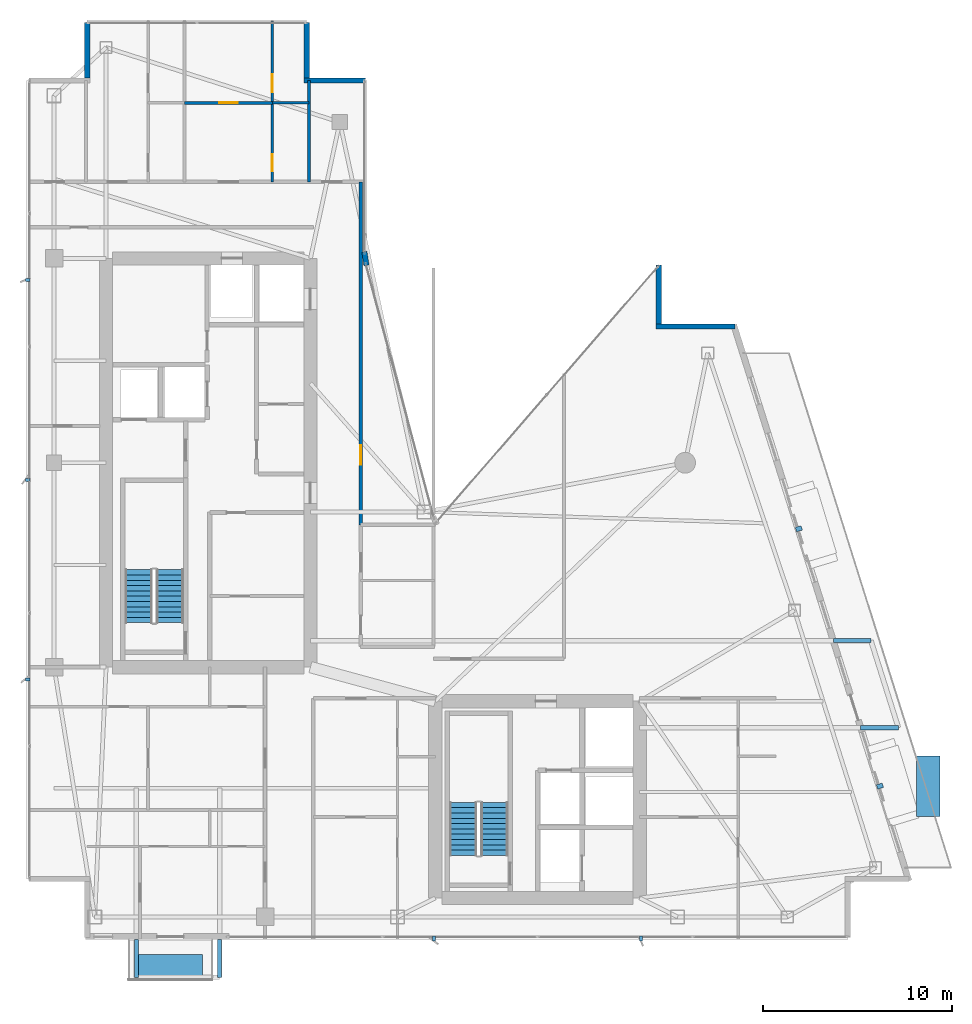
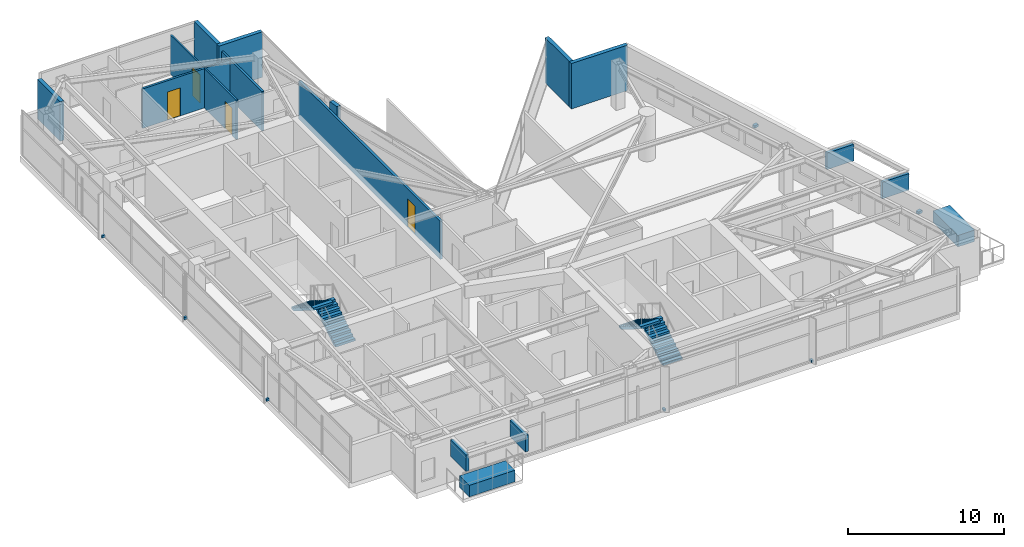
# One storey, part 26 of 28: 13 discrete accessories, 11 walls, 4 doors, 4 stair flights, 4 openings, 2 elements without a shape of their own.
"""IFC4 building model written with IfcOpenShell, lengths in metres."""

from ifc_helpers import new_model, si_unit, direction, frame, frame_2d, origin, origin_2d, place, context, subcontext, project, spatial, polyline, rectangle, outline, extrude, material, layer, layer_set, type_object, element, fill, aggregate, save


model = new_model("IFC4")

# Units and contexts
model_context = context("Model", 3, precision=1e-05, world=origin(), true_north=direction((0.0, 1.0)))
body_context = subcontext(model_context, "Body", "Model", "MODEL_VIEW")
ifc_project = project(units=[si_unit("LENGTHUNIT", "METRE"), si_unit("AREAUNIT", "SQUARE_METRE"), si_unit("VOLUMEUNIT", "CUBIC_METRE"), si_unit("PLANEANGLEUNIT", "RADIAN"), si_unit("MASSUNIT", "GRAM", prefix="KILO")], contexts=[model_context])

# Site, building, storey
site_placement = place(None, origin())
site = spatial("IfcSite", under=ifc_project, at=site_placement, CompositionType="ELEMENT")
building_placement = place(site_placement, origin())
building = spatial("IfcBuilding", under=site, at=building_placement, Name="Calvorn Quay Hotel", CompositionType="ELEMENT")
storey_placement = place(building_placement, frame((0.0, 0.0, 243.800048828125)))
storey = spatial("IfcBuildingStorey", under=building, at=storey_placement, Name="L60", CompositionType="ELEMENT", Elevation=243.800048828125)

# Wall, opening, door
ifc_material_1 = material(Name="Acoustic Fireboard Steel-Stud Partition", Category="steel")
ifc_layer_1 = layer(ifc_material_1, 0.179931640625)
ifc_layer_set_1 = layer_set([ifc_layer_1], Name="WL-CORR-FIRE-180")
wall_type_1 = type_object("IfcWallType", Name="WL-CORR-FIRE-180", PredefinedType="PARTITIONING", material=ifc_layer_set_1)
wall_1_placement = place(storey_placement, frame((17.64990234375, 24.300048828125, 0.0), z_axis=(0.0, 0.0, 1.0), x_axis=(0.0, 1.0, 0.0)))
wall_1 = element("IfcWall", 1, at=wall_1_placement, inside=storey, type_object=wall_type_1, Name="Partition Wall L60-WL-NW-CLOSURE-E", PredefinedType="PARTITIONING", context=body_context, shape_type="SweptSolid", body=[
    extrude(rectangle(XDim=18.14990234375, YDim=0.179931640625, at=frame_2d((9.074951171875, 0.0))), origin(), (0.0, 0.0, 1.0), 2.989990234375),
])
opening_1_placement = place(wall_1_placement, frame((3.199951171875, 0.0, 0.0)))
opening_1 = element("IfcOpeningElement", 2, at=opening_1_placement, cuts=wall_1, Name="Opening D-L60-NCU", PredefinedType="OPENING", context=body_context, shape_type="SweptSolid", body=[
    extrude(rectangle(XDim=1.02001953125, YDim=2.199951171875, at=frame_2d((0.510009765625, 1.10009765625))), frame((0.0, 0.099853515625, 0.0), z_axis=(0.0, -1.0, 0.0), x_axis=(1.0, 0.0, 0.0)), (0.0, 0.0, 1.0), 0.199951171875),
])
ifc_material_2 = material(Name="Solid-Core Walnut Veneer Hotel Fire Door")
door_type_1 = type_object("IfcDoorType", Name="DR-GUEST-ENTRY-1020", OperationType="NOTDEFINED", PredefinedType="DOOR", material=ifc_material_2)
door_1_placement = place(opening_1_placement, origin())
door_1 = element("IfcDoor", 3, at=door_1_placement, inside=storey, type_object=door_type_1, Name="Inner Court Horizon Study Door (L60)", OperationType="SINGLE_SWING_RIGHT", OverallHeight=2.199951171875, OverallWidth=1.02001953125, PredefinedType="DOOR", context=body_context, shape_type="SweptSolid", body=[
    extrude(rectangle(XDim=1.02001953125, YDim=2.199951171875, at=frame_2d((0.510009765625, 1.10009765625))), frame((0.0, 0.02490234375, 0.0), z_axis=(0.0, -1.0, 0.0), x_axis=(1.0, 0.0, 0.0)), (0.0, 0.0, 1.0), 0.050048828125),
])
fill(opening_1, door_1)

# Wall
ifc_material_3 = material(Name="Moisture-Resistant Tile-Backed Partition")
ifc_layer_2 = layer(ifc_material_3, 0.125)
ifc_layer_set_2 = layer_set([ifc_layer_2], Name="WL-ENSUITE-125")
wall_type_2 = type_object("IfcWallType", Name="WL-ENSUITE-125", PredefinedType="PARTITIONING", material=ifc_layer_set_2)
wall_2_placement = place(storey_placement, frame((12.989990234375, 46.6201171875, 0.0), z_axis=(0.0, 0.0, 1.0), x_axis=(1.0, 0.0, 0.0)))
element("IfcWall", 4, at=wall_2_placement, inside=storey, type_object=wall_type_2, Name="Partition Wall L60-WL-U05-BDV", PredefinedType="PARTITIONING", context=body_context, shape_type="SweptSolid", body=[
    extrude(rectangle(XDim=1.929931640625, YDim=0.125, at=frame_2d((0.96484375, 0.0))), origin(), (0.0, 0.0, 1.0), 3.08984375),
])

# Wall, openings, doors
wall_3_placement = place(storey_placement, frame((12.989990234375, 42.449951171875, 0.0), z_axis=(0.0, 0.0, 1.0), x_axis=(0.0, 1.0, 0.0)))
wall_3 = element("IfcWall", 5, at=wall_3_placement, inside=storey, type_object=wall_type_2, Name="Partition Wall L60-WL-U05-BV", PredefinedType="PARTITIONING", context=body_context, shape_type="SweptSolid", body=[
    extrude(rectangle(XDim=8.489990234375, YDim=0.125, at=frame_2d((4.2451171875, 0.0))), origin(), (0.0, 0.0, 1.0), 3.08984375),
])
opening_2_placement = place(wall_3_placement, frame((0.550048828125, 0.0, 0.0)))
opening_2 = element("IfcOpeningElement", 6, at=opening_2_placement, cuts=wall_3, Name="Opening D-L60-E05", PredefinedType="OPENING", context=body_context, shape_type="SweptSolid", body=[
    extrude(rectangle(XDim=0.89990234375, YDim=2.14990234375, at=frame_2d((0.449951171875, 1.074951171875))), frame((0.0, 0.072509765625, 0.0), z_axis=(0.0, -1.0, 0.0), x_axis=(1.0, 0.0, 0.0)), (0.0, 0.0, 1.0), 0.14501953125),
])
opening_3_placement = place(wall_3_placement, frame((4.719970703125, 0.0, 0.0)))
opening_3 = element("IfcOpeningElement", 7, at=opening_3_placement, cuts=wall_3, Name="Opening D-L60-S05", PredefinedType="OPENING", context=body_context, shape_type="SweptSolid", body=[
    extrude(rectangle(XDim=0.9599609375, YDim=2.199951171875, at=frame_2d((0.47998046875, 1.10009765625))), frame((0.0, 0.072509765625, 0.0), z_axis=(0.0, -1.0, 0.0), x_axis=(1.0, 0.0, 0.0)), (0.0, 0.0, 1.0), 0.14501953125),
])
ifc_material_4 = material(Name="Moisture-Sealed Timber En-Suite Door", Category="wood")
door_type_2 = type_object("IfcDoorType", Name="DR-ENSUITE-900", OperationType="NOTDEFINED", PredefinedType="DOOR", material=ifc_material_4)
door_2_placement = place(opening_2_placement, origin())
door_2 = element("IfcDoor", 8, at=door_2_placement, inside=storey, type_object=door_type_2, Name="En-Suite Door 05", OperationType="SINGLE_SWING_LEFT", OverallHeight=2.14990234375, OverallWidth=0.89990234375, PredefinedType="DOOR", context=body_context, shape_type="SweptSolid", body=[
    extrude(rectangle(XDim=0.89990234375, YDim=2.14990234375, at=frame_2d((0.449951171875, 1.074951171875))), frame((0.0, 0.02490234375, 0.0), z_axis=(0.0, -1.0, 0.0), x_axis=(1.0, 0.0, 0.0)), (0.0, 0.0, 1.0), 0.050048828125),
])
fill(opening_2, door_2)
ifc_material_5 = material(Name="Solid Timber Internal Suite Door", Category="wood")
door_type_3 = type_object("IfcDoorType", Name="DR-SUITE-INT-960", OperationType="NOTDEFINED", PredefinedType="DOOR", material=ifc_material_5)
door_3_placement = place(opening_3_placement, origin())
door_3 = element("IfcDoor", 9, at=door_3_placement, inside=storey, type_object=door_type_3, Name="Private Media Cinema Door 05", OperationType="SINGLE_SWING_RIGHT", OverallHeight=2.199951171875, OverallWidth=0.9599609375, PredefinedType="DOOR", context=body_context, shape_type="SweptSolid", body=[
    extrude(rectangle(XDim=0.9599609375, YDim=2.199951171875, at=frame_2d((0.47998046875, 1.10009765625))), frame((0.0, 0.02490234375, 0.0), z_axis=(0.0, -1.0, 0.0), x_axis=(1.0, 0.0, 0.0)), (0.0, 0.0, 1.0), 0.050048828125),
])
fill(opening_3, door_3)

# Walls
ifc_material_6 = material(Name="Concrete C40", Category="concrete")
ifc_layer_3 = layer(ifc_material_6, 0.320068359375)
ifc_layer_set_3 = layer_set([ifc_layer_3], Name="WL-EXT-SPANDREL-320")
wall_type_3 = type_object("IfcWallType", Name="WL-EXT-SPANDREL-320", PredefinedType="SOLIDWALL", material=ifc_layer_set_3)
wall_4_placement = place(storey_placement, frame((17.9619140625, 38.030029296875, 0.0), z_axis=(0.0, 0.0, 1.0), x_axis=(-0.15141125477, 0.988470855377, 0.0)))
element("IfcWall", 10, at=wall_4_placement, inside=storey, type_object=wall_type_3, Name="Inner Court Corner Pier L60-ICJ2", PredefinedType="SOLIDWALL", context=body_context, shape_type="SweptSolid", body=[
    extrude(rectangle(XDim=0.738525390625, YDim=0.280029296875, at=frame_2d((0.369140625, 0.0))), origin(), (0.0, 0.0, 1.0), 3.56005859375),
])
wall_5_placement = place(storey_placement, frame((37.43994140625, 34.800048828125, 0.0), z_axis=(0.0, 0.0, 1.0), x_axis=(-1.0, 0.0, 0.0)))
element("IfcWall", 11, at=wall_5_placement, inside=storey, type_object=wall_type_3, Name="Notched Corner Spandrel L60-NE1", PredefinedType="SOLIDWALL", context=body_context, shape_type="SweptSolid", body=[
    extrude(rectangle(XDim=4.179931640625, YDim=0.280029296875, at=frame_2d((2.08984375, 0.0))), origin(), (0.0, 0.0, 1.0), 3.56005859375),
])
wall_6_placement = place(storey_placement, frame((33.39990234375, 34.93994140625, 0.0), z_axis=(0.0, 0.0, 1.0), x_axis=(0.0, 1.0, 0.0)))
element("IfcWall", 12, at=wall_6_placement, inside=storey, type_object=wall_type_3, Name="Notched Corner Spandrel L60-NE2", PredefinedType="SOLIDWALL", context=body_context, shape_type="SweptSolid", body=[
    extrude(rectangle(XDim=3.10009765625, YDim=0.280029296875, at=frame_2d((1.550048828125, 0.0))), origin(), (0.0, 0.0, 1.0), 3.56005859375),
])
wall_7_placement = place(storey_placement, frame((17.89990234375, 47.800048828125, 0.0), z_axis=(0.0, 0.0, 1.0), x_axis=(-1.0, 0.0, 0.0)))
element("IfcWall", 13, at=wall_7_placement, inside=storey, type_object=wall_type_3, Name="Notched Corner Spandrel L60-NWE1", PredefinedType="SOLIDWALL", context=body_context, shape_type="SweptSolid", body=[
    extrude(rectangle(XDim=3.239990234375, YDim=0.280029296875, at=frame_2d((1.6201171875, 0.0))), origin(), (0.0, 0.0, 1.0), 3.56005859375),
])
wall_8_placement = place(storey_placement, frame((14.800048828125, 47.93994140625, 0.0), z_axis=(0.0, 0.0, 1.0), x_axis=(0.0, 1.0, 0.0)))
element("IfcWall", 14, at=wall_8_placement, inside=storey, type_object=wall_type_3, Name="Notched Corner Spandrel L60-NWE2", PredefinedType="SOLIDWALL", context=body_context, shape_type="SweptSolid", body=[
    extrude(rectangle(XDim=2.93994140625, YDim=0.280029296875, at=frame_2d((1.469970703125, 0.0))), origin(), (0.0, 0.0, 1.0), 3.56005859375),
])
wall_9_placement = place(storey_placement, frame((3.199951171875, 50.8798828125, 0.0), z_axis=(0.0, 0.0, 1.0), x_axis=(0.0, -1.0, 0.0)))
element("IfcWall", 15, at=wall_9_placement, inside=storey, type_object=wall_type_3, Name="Notched Corner Spandrel L60-NW1", PredefinedType="SOLIDWALL", context=body_context, shape_type="SweptSolid", body=[
    extrude(rectangle(XDim=2.93994140625, YDim=0.280029296875, at=frame_2d((1.469970703125, 0.0))), origin(), (0.0, 0.0, 1.0), 3.08984375),
])
ifc_material_7 = material(Name="Double-Stud Acoustic Gypsum Partition")
ifc_layer_4 = layer(ifc_material_7, 0.159912109375)
ifc_layer_set_4 = layer_set([ifc_layer_4], Name="WL-INTERSUITE-160")
wall_type_4 = type_object("IfcWallType", Name="WL-INTERSUITE-160", PredefinedType="PARTITIONING", material=ifc_layer_set_4)
wall_10_placement = place(storey_placement, frame((14.919921875, 42.449951171875, 0.0), z_axis=(0.0, 0.0, 1.0), x_axis=(0.0, 1.0, 0.0)))
element("IfcWall", 16, at=wall_10_placement, inside=storey, type_object=wall_type_4, Name="Partition Wall L60-WL-NW-DIV-E0", PredefinedType="PARTITIONING", context=body_context, shape_type="SweptSolid", body=[
    extrude(rectangle(XDim=5.35009765625, YDim=0.159912109375, at=frame_2d((2.675048828125, 0.0))), origin(), (0.0, 0.0, 1.0), 3.08984375),
])

# Wall, opening, door
wall_11_placement = place(storey_placement, frame((8.35009765625, 46.6201171875, 0.0), z_axis=(0.0, 0.0, 1.0), x_axis=(1.0, 0.0, 0.0)))
wall_11 = element("IfcWall", 17, at=wall_11_placement, inside=storey, type_object=wall_type_4, Name="Partition Wall L60-WL-U05-MSP", PredefinedType="PARTITIONING", context=body_context, shape_type="SweptSolid", body=[
    extrude(rectangle(XDim=4.639892578125, YDim=0.159912109375, at=frame_2d((2.31982421875, 0.0))), origin(), (0.0, 0.0, 1.0), 3.08984375),
])
opening_4_placement = place(wall_11_placement, frame((1.840087890625, 0.0, 0.0)))
opening_4 = element("IfcOpeningElement", 18, at=opening_4_placement, cuts=wall_11, Name="Opening D-L60-M05", PredefinedType="OPENING", context=body_context, shape_type="SweptSolid", body=[
    extrude(rectangle(XDim=0.9599609375, YDim=2.199951171875, at=frame_2d((0.47998046875, 1.10009765625))), frame((0.0, 0.08984375, 0.0), z_axis=(0.0, -1.0, 0.0), x_axis=(1.0, 0.0, 0.0)), (0.0, 0.0, 1.0), 0.179931640625),
])
door_4_placement = place(opening_4_placement, origin())
door_4 = element("IfcDoor", 19, at=door_4_placement, inside=storey, type_object=door_type_3, Name="Suite Bedroom Door 05", OperationType="SINGLE_SWING_LEFT", OverallHeight=2.199951171875, OverallWidth=0.9599609375, PredefinedType="DOOR", context=body_context, shape_type="SweptSolid", body=[
    extrude(rectangle(XDim=0.9599609375, YDim=2.199951171875, at=frame_2d((0.47998046875, 1.10009765625))), frame((0.0, 0.02490234375, 0.0), z_axis=(0.0, -1.0, 0.0), x_axis=(1.0, 0.0, 0.0)), (0.0, 0.0, 1.0), 0.050048828125),
])
fill(opening_4, door_4)

# Stair, stair flights
ifc_material_8 = material(Name="Concrete C40", Category="concrete")
stair_type = type_object("IfcStairType", Name="STR-CORE-DOGLEG", PredefinedType="HALF_TURN_STAIR", material=ifc_material_8)
stair_1_placement = place(storey_placement, origin())
stair_1 = element("IfcStair", 20, at=stair_1_placement, inside=storey, type_object=stair_type, Name="L60 ST-W", PredefinedType="HALF_TURN_STAIR")
ifc_material_9 = material(Name="Concrete C40", Category="concrete")
stair_flight_type = type_object("IfcStairFlightType", Name="FLT-CORE-1550", PredefinedType="STRAIGHT", material=ifc_material_9)
stair_flight_1_placement = place(storey_placement, frame((7.574951171875, 19.14990234375, 0.0), z_axis=(0.0, 0.0, 1.0), x_axis=(0.0, 1.0, 0.0)))
stair_flight_1 = element("IfcStairFlight", 21, at=stair_flight_1_placement, type_object=stair_flight_type, Name="ST-W flight 1", NumberOfRisers=11, NumberOfTreads=10, PredefinedType="STRAIGHT", RiserHeight=0.172727273, TreadLength=0.28, context=body_context, shape_type="SweptSolid", body=[
    extrude(outline(polyline([(0.0, 0.0), (0.0, 0.172607421875), (0.280029296875, 0.172607421875), (0.280029296875, 0.345458984375), (0.56005859375, 0.345458984375), (0.56005859375, 0.51806640625), (0.840087890625, 0.51806640625), (0.840087890625, 0.69091796875), (1.1201171875, 0.69091796875), (1.1201171875, 0.863525390625), (1.39990234375, 0.863525390625), (1.39990234375, 1.036376953125), (1.679931640625, 1.036376953125), (1.679931640625, 1.208984375), (1.9599609375, 1.208984375), (1.9599609375, 1.3818359375), (2.239990234375, 1.3818359375), (2.239990234375, 1.554443359375), (2.52001953125, 1.554443359375), (2.52001953125, 1.727294921875), (2.800048828125, 1.727294921875), (2.800048828125, 1.89990234375), (2.800048828125, 1.551025390625), (0.285400390625, 0.0), (0.0, 0.0)])), frame((0.0, 0.72509765625, 0.0), z_axis=(0.0, -1.0, 0.0), x_axis=(1.0, 0.0, 0.0)), (0.0, 0.0, 1.0), 1.449951171875),
])
stair_flight_2_placement = place(storey_placement, frame((5.925048828125, 21.949951171875, 1.89990234375), z_axis=(0.0, 0.0, 1.0), x_axis=(0.0, -1.0, 0.0)))
stair_flight_2 = element("IfcStairFlight", 22, at=stair_flight_2_placement, type_object=stair_flight_type, Name="ST-W flight 2", NumberOfRisers=11, NumberOfTreads=10, PredefinedType="STRAIGHT", RiserHeight=0.172727273, TreadLength=0.28, context=body_context, shape_type="SweptSolid", body=[
    extrude(outline(polyline([(0.0, 0.0), (0.0, 0.172607421875), (0.280029296875, 0.172607421875), (0.280029296875, 0.345458984375), (0.56005859375, 0.345458984375), (0.56005859375, 0.51806640625), (0.840087890625, 0.51806640625), (0.840087890625, 0.69091796875), (1.1201171875, 0.69091796875), (1.1201171875, 0.863525390625), (1.39990234375, 0.863525390625), (1.39990234375, 1.036376953125), (1.679931640625, 1.036376953125), (1.679931640625, 1.208984375), (1.9599609375, 1.208984375), (1.9599609375, 1.3818359375), (2.239990234375, 1.3818359375), (2.239990234375, 1.554443359375), (2.52001953125, 1.554443359375), (2.52001953125, 1.727294921875), (2.800048828125, 1.727294921875), (2.800048828125, 1.89990234375), (2.800048828125, 1.551025390625), (0.285400390625, 0.0), (0.0, 0.0)])), frame((0.0, 0.72509765625, 0.0), z_axis=(0.0, -1.0, 0.0), x_axis=(1.0, 0.0, 0.0)), (0.0, 0.0, 1.0), 1.449951171875),
])
aggregate(stair_1, [stair_flight_1, stair_flight_2])

stair_2_placement = place(storey_placement, origin())
stair_2 = element("IfcStair", 23, at=stair_2_placement, inside=storey, type_object=stair_type, Name="L60 ST-E", PredefinedType="HALF_TURN_STAIR")
stair_flight_3_placement = place(storey_placement, frame((24.72509765625, 6.85009765625, 0.0), z_axis=(0.0, 0.0, 1.0), x_axis=(0.0, 1.0, 0.0)))
stair_flight_3 = element("IfcStairFlight", 24, at=stair_flight_3_placement, type_object=stair_flight_type, Name="ST-E flight 1", NumberOfRisers=11, NumberOfTreads=10, PredefinedType="STRAIGHT", RiserHeight=0.172727273, TreadLength=0.28, context=body_context, shape_type="SweptSolid", body=[
    extrude(outline(polyline([(0.0, 0.0), (0.0, 0.172607421875), (0.280029296875, 0.172607421875), (0.280029296875, 0.345458984375), (0.56005859375, 0.345458984375), (0.56005859375, 0.51806640625), (0.840087890625, 0.51806640625), (0.840087890625, 0.69091796875), (1.1201171875, 0.69091796875), (1.1201171875, 0.863525390625), (1.39990234375, 0.863525390625), (1.39990234375, 1.036376953125), (1.679931640625, 1.036376953125), (1.679931640625, 1.208984375), (1.9599609375, 1.208984375), (1.9599609375, 1.3818359375), (2.239990234375, 1.3818359375), (2.239990234375, 1.554443359375), (2.52001953125, 1.554443359375), (2.52001953125, 1.727294921875), (2.800048828125, 1.727294921875), (2.800048828125, 1.89990234375), (2.800048828125, 1.551025390625), (0.285400390625, 0.0), (0.0, 0.0)])), frame((0.0, 0.72509765625, 0.0), z_axis=(0.0, -1.0, 0.0), x_axis=(1.0, 0.0, 0.0)), (0.0, 0.0, 1.0), 1.449951171875),
])
stair_flight_4_placement = place(storey_placement, frame((23.074951171875, 9.64990234375, 1.89990234375), z_axis=(0.0, 0.0, 1.0), x_axis=(0.0, -1.0, 0.0)))
stair_flight_4 = element("IfcStairFlight", 25, at=stair_flight_4_placement, type_object=stair_flight_type, Name="ST-E flight 2", NumberOfRisers=11, NumberOfTreads=10, PredefinedType="STRAIGHT", RiserHeight=0.172727273, TreadLength=0.28, context=body_context, shape_type="SweptSolid", body=[
    extrude(outline(polyline([(0.0, 0.0), (0.0, 0.172607421875), (0.280029296875, 0.172607421875), (0.280029296875, 0.345458984375), (0.56005859375, 0.345458984375), (0.56005859375, 0.51806640625), (0.840087890625, 0.51806640625), (0.840087890625, 0.69091796875), (1.1201171875, 0.69091796875), (1.1201171875, 0.863525390625), (1.39990234375, 0.863525390625), (1.39990234375, 1.036376953125), (1.679931640625, 1.036376953125), (1.679931640625, 1.208984375), (1.9599609375, 1.208984375), (1.9599609375, 1.3818359375), (2.239990234375, 1.3818359375), (2.239990234375, 1.554443359375), (2.52001953125, 1.554443359375), (2.52001953125, 1.727294921875), (2.800048828125, 1.727294921875), (2.800048828125, 1.89990234375), (2.800048828125, 1.551025390625), (0.285400390625, 0.0), (0.0, 0.0)])), frame((0.0, 0.72509765625, 0.0), z_axis=(0.0, -1.0, 0.0), x_axis=(1.0, 0.0, 0.0)), (0.0, 0.0, 1.0), 1.449951171875),
])
aggregate(stair_2, [stair_flight_3, stair_flight_4])

# Discrete accessories
ifc_material_10 = material(Name="Steel Q355B", Category="steel")
discrete_accessory_type_1 = type_object("IfcDiscreteAccessoryType", Name="ACC-BALC-STRUT", PredefinedType="BRACKET", material=ifc_material_10)
for number, where, z_axis, x_axis, name in (
    (26, (45.073974609375, 13.60009765625, 2.01513671875), (0.0, 0.0, 1.0), (1.0, 0.0, 0.0), "Exterior Balcony Steel Bracket L61-BALC-E-A"),
    (27, (43.625, 18.199951171875, 2.01513671875), (0.0, 0.0, 1.0), (1.0, 0.0, 0.0), "Exterior Balcony Steel Bracket L61-BALC-E-B"),
):
    element("IfcDiscreteAccessory", number, at=place(storey_placement, frame(where, z_axis=z_axis, x_axis=x_axis)), inside=storey, type_object=discrete_accessory_type_1, Name=name, PredefinedType="BRACKET", context=body_context, shape_type="SweptSolid", body=[
        extrude(rectangle(XDim=1.989990234375, YDim=0.219970703125, at=origin_2d()), origin(), (0.0, 0.0, 1.0), 1.300048828125),
    ])
for number, where, z_axis, x_axis, name in (
    (28, (5.800048828125, 1.405029296875, 2.01513671875), (0.0, 0.0, 1.0), (1.0, 0.0, 0.0), "Exterior Balcony Steel Bracket L61-BALC-S-A"),
    (29, (10.199951171875, 1.405029296875, 2.01513671875), (0.0, 0.0, 1.0), (1.0, 0.0, 0.0), "Exterior Balcony Steel Bracket L61-BALC-S-B"),
):
    element("IfcDiscreteAccessory", number, at=place(storey_placement, frame(where, z_axis=z_axis, x_axis=x_axis)), inside=storey, type_object=discrete_accessory_type_1, Name=name, PredefinedType="BRACKET", context=body_context, shape_type="SweptSolid", body=[
        extrude(rectangle(XDim=0.219970703125, YDim=1.989990234375, at=origin_2d()), origin(), (0.0, 0.0, 1.0), 1.300048828125),
    ])
ifc_material_11 = material(Name="Steel Q355B", Category="steel")
discrete_accessory_type_2 = type_object("IfcDiscreteAccessoryType", Name="ACC-FIN-BRACKET", PredefinedType="BRACKET", material=ifc_material_11)
for number, where, z_axis, x_axis, name in (
    (30, (0.06005859375, 16.14990234375, 0.02978515625), (0.0, 0.0, 1.0), (1.0, 0.0, 0.0), "Fin Anchor Bracket L60-W01"),
    (31, (0.06005859375, 26.699951171875, 0.02978515625), (0.0, 0.0, 1.0), (1.0, 0.0, 0.0), "Fin Anchor Bracket L60-W02"),
    (32, (0.06005859375, 37.25, 0.02978515625), (0.0, 0.0, 1.0), (1.0, 0.0, 0.0), "Fin Anchor Bracket L60-W03"),
    (33, (21.532958984375, 2.4599609375, 0.02978515625), (0.0, 0.0, 1.0), (0.0, 1.0, 0.0), "Fin Anchor Bracket L60-S01"),
    (34, (32.467041015625, 2.4599609375, 0.02978515625), (0.0, 0.0, 1.0), (0.0, 1.0, 0.0), "Fin Anchor Bracket L60-S02"),
):
    element("IfcDiscreteAccessory", number, at=place(storey_placement, frame(where, z_axis=z_axis, x_axis=x_axis)), inside=storey, type_object=discrete_accessory_type_2, Name=name, PredefinedType="BRACKET", context=body_context, shape_type="SweptSolid", body=[
        extrude(rectangle(XDim=0.239990234375, YDim=0.159912109375, at=origin_2d()), origin(), (0.0, 0.0, 1.0), 0.179931640625),
    ])
for number, where, z_axis, x_axis, name in (
    (35, (45.094970703125, 10.511962890625, 2.3701171875), (0.0, 0.0, 1.0), (0.957319497532, 0.289031796944, 0.0), "Bay Hood Support Bracket L60-HOOD-1"),
    (36, (40.81005859375, 24.112060546875, 2.3701171875), (0.0, 0.0, 1.0), (0.957319497532, 0.289031796944, 0.0), "Bay Hood Support Bracket L60-HOOD-3"),
):
    element("IfcDiscreteAccessory", number, at=place(storey_placement, frame(where, z_axis=z_axis, x_axis=x_axis)), inside=storey, type_object=discrete_accessory_type_2, Name=name, PredefinedType="BRACKET", context=body_context, shape_type="SweptSolid", body=[
        extrude(rectangle(XDim=0.320068359375, YDim=0.239990234375, at=origin_2d()), origin(), (0.0, 0.0, 1.0), 0.199951171875),
    ])
ifc_material_12 = material(Name="Precast concrete C40", Category="concrete")
discrete_accessory_type_3 = type_object("IfcDiscreteAccessoryType", Name="ACC-TREE-PLANTER", PredefinedType="USERDEFINED", material=ifc_material_12)
discrete_accessory_1_placement = place(storey_placement, frame((7.60009765625, 0.989990234375, 0.0), z_axis=(0.0, 0.0, 1.0), x_axis=(1.0, 0.0, 0.0)))
element("IfcDiscreteAccessory", 37, at=discrete_accessory_1_placement, inside=storey, type_object=discrete_accessory_type_3, Name="Subtropical Tree Structural Planter L60-BALC-S", ObjectType="PLANTER", PredefinedType="USERDEFINED", context=body_context, shape_type="SweptSolid", body=[
    extrude(rectangle(XDim=3.39990234375, YDim=1.25, at=origin_2d()), origin(), (0.0, 0.0, 1.0), 0.89990234375),
])
discrete_accessory_2_placement = place(storey_placement, frame((47.64599609375, 10.5, 0.0), z_axis=(0.0, 0.0, 1.0), x_axis=(1.0, 0.0, 0.0)))
element("IfcDiscreteAccessory", 38, at=discrete_accessory_2_placement, inside=storey, type_object=discrete_accessory_type_3, Name="Sawtooth Terrace Tree Planter (L60)", ObjectType="PLANTER", PredefinedType="USERDEFINED", context=body_context, shape_type="SweptSolid", body=[
    extrude(rectangle(XDim=1.25, YDim=3.199951171875, at=origin_2d()), origin(), (0.0, 0.0, 1.0), 0.89990234375),
])

save(model, "model.ifc")
